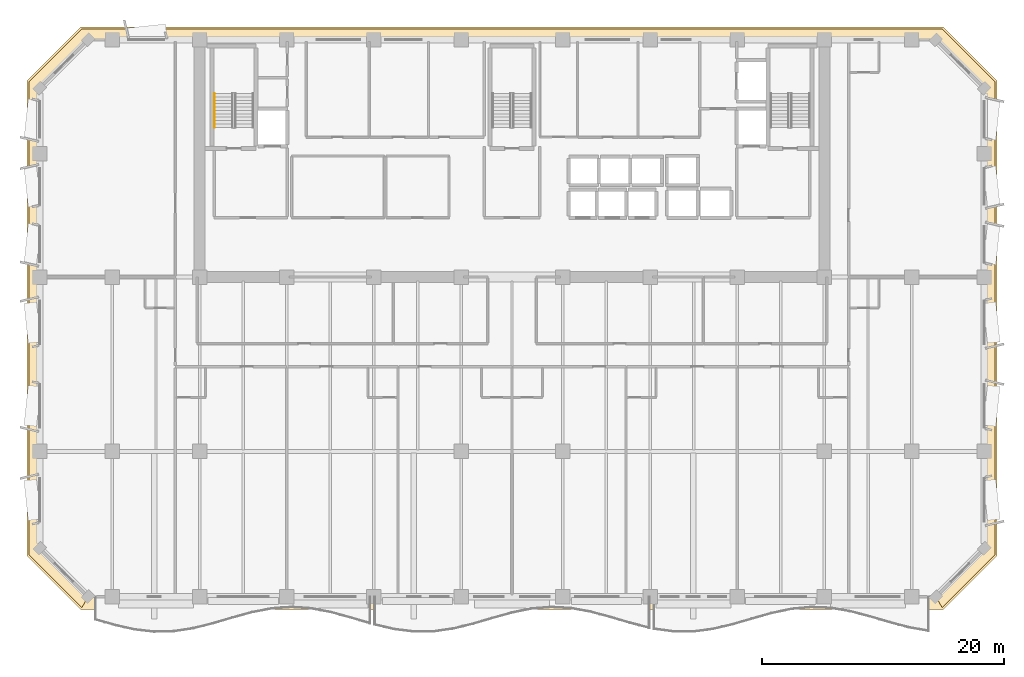
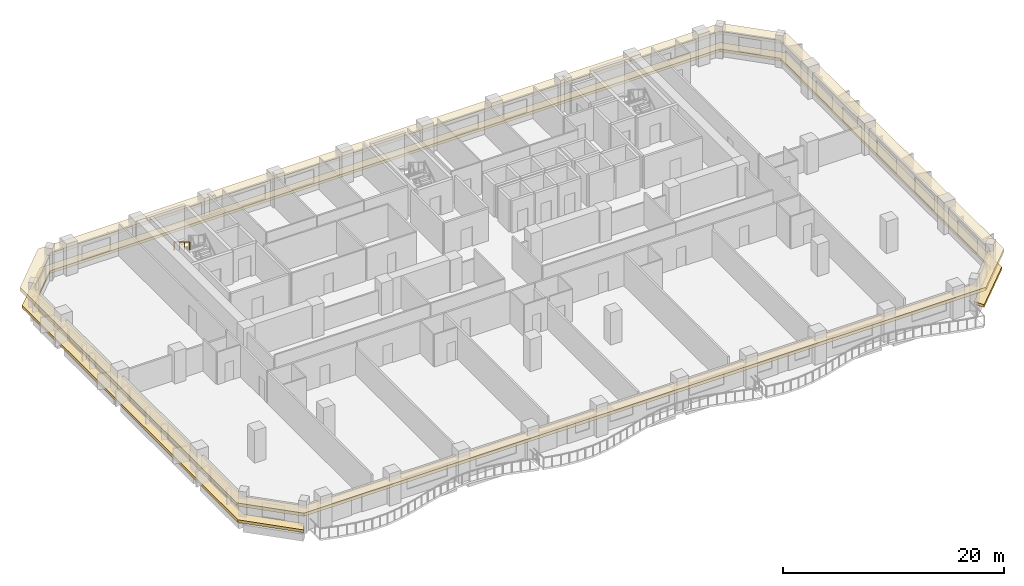
# One storey, part 11 of 14: 2 coverings, 1 railing.
"""IFC4 building model written with IfcOpenShell, lengths in metres."""

from ifc_helpers import new_model, si_unit, direction, frame, origin, origin_2d, place, context, subcontext, project, spatial, polyline, rectangle, outline, extrude, material, layer, layer_set, type_object, element, save


model = new_model("IFC4")

# Units and contexts
model_context = context("Model", 3, precision=1e-05, world=origin(), true_north=direction((0.0, 1.0)))
body_context = subcontext(model_context, "Body", "Model", "MODEL_VIEW")
ifc_project = project(units=[si_unit("LENGTHUNIT", "METRE"), si_unit("AREAUNIT", "SQUARE_METRE"), si_unit("VOLUMEUNIT", "CUBIC_METRE"), si_unit("PLANEANGLEUNIT", "RADIAN"), si_unit("MASSUNIT", "GRAM", prefix="KILO")], contexts=[model_context])

# Site, building, storey
site_placement = place(None, origin())
site = spatial("IfcSite", under=ifc_project, at=site_placement, CompositionType="ELEMENT")
building_placement = place(site_placement, origin())
building = spatial("IfcBuilding", under=site, at=building_placement, Name="Kaelvorn Grand Hotel", CompositionType="ELEMENT")
storey_placement = place(building_placement, frame((0.0, 0.0, 190.14990234375)))
storey = spatial("IfcBuildingStorey", under=building, at=storey_placement, Name="L46", CompositionType="ELEMENT", Elevation=190.14990234375)

# Coverings
ifc_material_1 = material(Name="Precast concrete C45/55", Category="concrete")
ifc_layer_1 = layer(ifc_material_1, 0.260009765625)
ifc_layer_set_1 = layer_set([ifc_layer_1], Name="Precast concrete C45/55")
covering_type_1 = type_object("IfcCoveringType", Name="COV-BAND-STREAMLINE-HEAD", PredefinedType="CLADDING", material=ifc_layer_set_1)
covering_1_placement = place(storey_placement, frame((0.0, 0.0, 2.380126953125)))
element("IfcCovering", 1, at=covering_1_placement, inside=storey, type_object=covering_type_1, Name="L46 Streamline Moderne Wraparound Horizontal Eyebrow Band", PredefinedType="CLADDING", context=body_context, shape_type="SweptSolid", body=[
    extrude(outline(polyline([(6.389892578125, 1.949951171875), (77.610107421875, 1.949951171875), (82.050048828125, 6.389892578125), (82.050048828125, 45.610107421875), (77.610107421875, 50.050048828125), (6.389892578125, 50.050048828125), (1.949951171875, 45.610107421875), (1.949951171875, 6.389892578125), (6.389892578125, 1.949951171875)]), holes=[polyline([(7.02001953125, 3.030029296875), (76.97998046875, 3.030029296875), (80.969970703125, 7.02001953125), (80.969970703125, 44.97998046875), (76.97998046875, 48.969970703125), (7.02001953125, 48.969970703125), (3.030029296875, 44.97998046875), (3.030029296875, 7.02001953125), (7.02001953125, 3.030029296875)])]), origin(), (0.0, 0.0, 1.0), 0.35986328125),
])
ifc_layer_2 = layer(ifc_material_1, 0.219970703125)
ifc_layer_set_2 = layer_set([ifc_layer_2], Name="Precast concrete C45/55")
covering_type_2 = type_object("IfcCoveringType", Name="COV-BAND-STREAMLINE-SILL", PredefinedType="CLADDING", material=ifc_layer_set_2)
covering_2_placement = place(storey_placement, frame((0.0, 0.0, 0.4501953125)))
element("IfcCovering", 2, at=covering_2_placement, inside=storey, type_object=covering_type_2, Name="L46 Streamline Moderne Wraparound Horizontal Sill Spandrel Band", PredefinedType="CLADDING", context=body_context, shape_type="SweptSolid", body=[
    extrude(outline(polyline([(77.515380859375, 2.1201171875), (81.8798828125, 6.484619140625), (81.8798828125, 45.515380859375), (77.515380859375, 49.8798828125), (6.484619140625, 49.8798828125), (2.1201171875, 45.515380859375), (2.1201171875, 6.484619140625), (6.484619140625, 2.1201171875), (7.017578125, 3.030029296875), (3.030029296875, 7.017578125), (3.030029296875, 44.982421875), (7.017578125, 48.969970703125), (76.982421875, 48.969970703125), (80.969970703125, 44.982421875), (80.969970703125, 7.017578125), (76.982421875, 3.030029296875), (77.515380859375, 2.1201171875)])), origin(), (0.0, 0.0, 1.0), 0.2998046875),
])

# Railing
ifc_material_2 = material(Name="Stainless Steel", Category="steel")
railing_type = type_object("IfcRailingType", Name="RL-HANDRAIL-900", PredefinedType="HANDRAIL", material=ifc_material_2)
railing_placement = place(storey_placement, frame((17.449951171875, 44.56005859375, 2.07275390625)))
element("IfcRailing", 3, at=railing_placement, inside=storey, type_object=railing_type, Name="L46 ST1 stair handrail 2", PredefinedType="HANDRAIL", context=body_context, shape_type="SweptSolid", body=[
    extrude(rectangle(XDim=0.048095703125, YDim=0.048095703125, at=origin_2d()), frame((0.0, 0.0, 0.8759765625), z_axis=(0.0, -0.851089632645, 0.525020415988), x_axis=(1.0, 0.0, 0.0)), (0.0, 0.0, 1.0), 3.2900390625),
    extrude(rectangle(XDim=0.0419921875, YDim=0.0419921875, at=origin_2d()), origin(), (0.0, 0.0, 1.0), 0.851806640625),
    extrude(rectangle(XDim=0.0419921875, YDim=0.0419921875, at=origin_2d()), frame((0.0, -0.933349609375, 0.57568359375)), (0.0, 0.0, 1.0), 0.851806640625),
    extrude(rectangle(XDim=0.0419921875, YDim=0.0419921875, at=origin_2d()), frame((0.0, -1.86669921875, 1.151611328125)), (0.0, 0.0, 1.0), 0.851806640625),
    extrude(rectangle(XDim=0.0419921875, YDim=0.0419921875, at=origin_2d()), frame((0.0, -2.800048828125, 1.727294921875)), (0.0, 0.0, 1.0), 0.851806640625),
])

save(model, "model.ifc")
